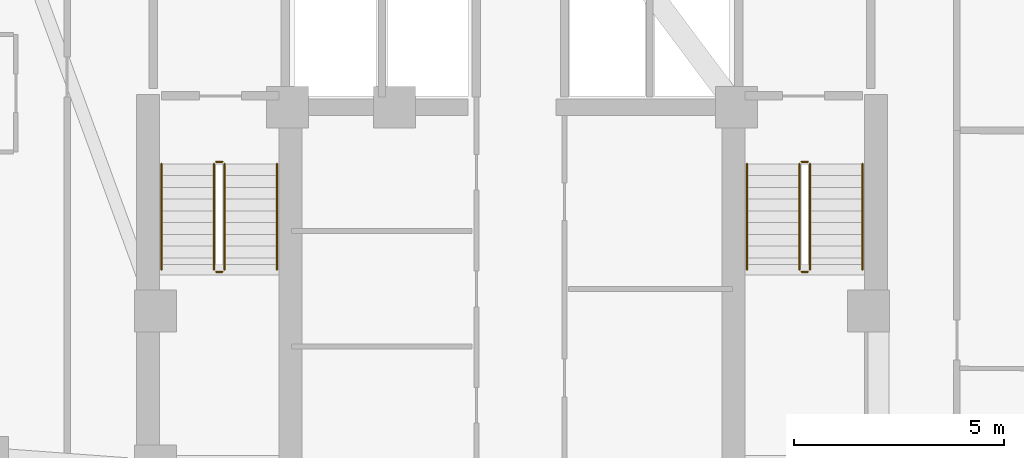
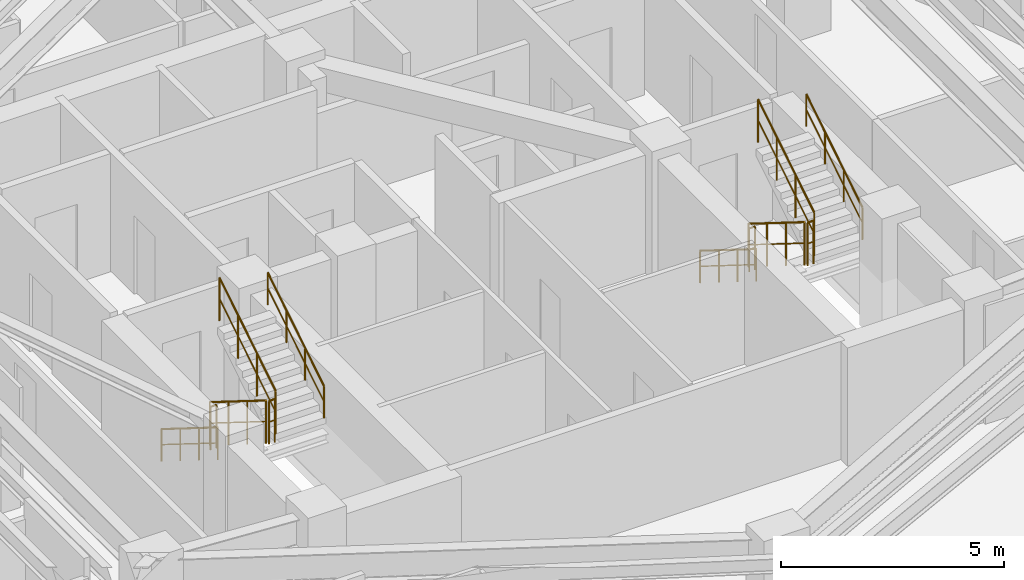
# One storey, part 11 of 11: 12 railings.
"""IFC4 building model written with IfcOpenShell, lengths in metres."""

from ifc_helpers import new_model, si_unit, direction, frame, origin, origin_2d, place, context, subcontext, project, spatial, circle, extrude, material, type_object, element, save


model = new_model("IFC4")

# Units and contexts
model_context = context("Model", 3, precision=1e-05, world=origin(), true_north=direction((0.0, 1.0)))
body_context = subcontext(model_context, "Body", "Model", "MODEL_VIEW")
ifc_project = project(units=[si_unit("LENGTHUNIT", "METRE"), si_unit("AREAUNIT", "SQUARE_METRE"), si_unit("VOLUMEUNIT", "CUBIC_METRE"), si_unit("PLANEANGLEUNIT", "RADIAN"), si_unit("MASSUNIT", "GRAM", prefix="KILO")], contexts=[model_context])

# Site, building, storey
site_placement = place(None, origin())
site = spatial("IfcSite", under=ifc_project, at=site_placement, CompositionType="ELEMENT")
building_placement = place(site_placement, origin())
building = spatial("IfcBuilding", under=site, at=building_placement, Name="Miruveldt Soraemaru", CompositionType="ELEMENT")
storey_placement = place(building_placement, frame((0.0, 0.0, 159.89990234375)))
storey = spatial("IfcBuildingStorey", under=building, at=storey_placement, Name="L44", CompositionType="ELEMENT", Elevation=159.89990234375)

# Railings
ifc_material = material(Name="Steel S355 (355 MPa)", Category="steel")
railing_type_1 = type_object("IfcRailingType", Name="RAIL-HR-900", PredefinedType="HANDRAIL", material=ifc_material)
railing_1_placement = place(storey_placement, frame((35.64990234375, 42.699951171875, 0.175048828125)))
element("IfcRailing", 1, at=railing_1_placement, inside=storey, type_object=railing_type_1, Name="L44 ST-1 stair handrail 1", PredefinedType="HANDRAIL", context=body_context, shape_type="SweptSolid", body=[
    extrude(circle(Radius=0.02392578125, at=origin_2d()), frame((0.0, 0.0, 0.8759765625), z_axis=(0.0, -0.848007534815, 0.529984170421), x_axis=(1.0, 0.0, 0.0)), (0.0, 0.0, 1.0), 2.9716796875),
    extrude(circle(Radius=0.01611328125, at=origin_2d()), frame((0.0, 0.0, 0.449951171875), z_axis=(0.0, -0.848007534815, 0.529984170421), x_axis=(1.0, 0.0, 0.0)), (0.0, 0.0, 1.0), 2.9716796875),
    extrude(circle(Radius=0.02099609375, at=origin_2d()), origin(), (0.0, 0.0, 1.0), 0.851806640625),
    extrude(circle(Radius=0.02099609375, at=origin_2d()), frame((0.0, -0.840087890625, 0.52490234375)), (0.0, 0.0, 1.0), 0.851806640625),
    extrude(circle(Radius=0.02099609375, at=origin_2d()), frame((0.0, -1.679931640625, 1.050048828125)), (0.0, 0.0, 1.0), 0.851806640625),
    extrude(circle(Radius=0.02099609375, at=origin_2d()), frame((0.0, -2.52001953125, 1.574951171875)), (0.0, 0.0, 1.0), 0.851806640625),
])
railing_2_placement = place(storey_placement, frame((38.39990234375, 40.179931640625, 1.925048828125)))
element("IfcRailing", 2, at=railing_2_placement, inside=storey, type_object=railing_type_1, Name="L44 ST-1 stair handrail 2", PredefinedType="HANDRAIL", context=body_context, shape_type="SweptSolid", body=[
    extrude(circle(Radius=0.02392578125, at=origin_2d()), frame((0.0, 0.0, 0.8759765625), z_axis=(0.0, 0.848007534815, 0.529984170421), x_axis=(-1.0, 0.0, 0.0)), (0.0, 0.0, 1.0), 2.9716796875),
    extrude(circle(Radius=0.01611328125, at=origin_2d()), frame((0.0, 0.0, 0.449951171875), z_axis=(0.0, 0.848007534815, 0.529984170421), x_axis=(-1.0, 0.0, 0.0)), (0.0, 0.0, 1.0), 2.9716796875),
    extrude(circle(Radius=0.02099609375, at=origin_2d()), origin(), (0.0, 0.0, 1.0), 0.851806640625),
    extrude(circle(Radius=0.02099609375, at=origin_2d()), frame((0.0, 0.840087890625, 0.52490234375)), (0.0, 0.0, 1.0), 0.851806640625),
    extrude(circle(Radius=0.02099609375, at=origin_2d()), frame((0.0, 1.679931640625, 1.050048828125)), (0.0, 0.0, 1.0), 0.851806640625),
    extrude(circle(Radius=0.02099609375, at=origin_2d()), frame((0.0, 2.52001953125, 1.574951171875)), (0.0, 0.0, 1.0), 0.851806640625),
])
railing_3_placement = place(storey_placement, frame((49.60009765625, 42.699951171875, 0.175048828125)))
element("IfcRailing", 3, at=railing_3_placement, inside=storey, type_object=railing_type_1, Name="L44 ST-2 stair handrail 1", PredefinedType="HANDRAIL", context=body_context, shape_type="SweptSolid", body=[
    extrude(circle(Radius=0.02392578125, at=origin_2d()), frame((0.0, 0.0, 0.8759765625), z_axis=(0.0, -0.848007534815, 0.529984170421), x_axis=(1.0, 0.0, 0.0)), (0.0, 0.0, 1.0), 2.9716796875),
    extrude(circle(Radius=0.01611328125, at=origin_2d()), frame((0.0, 0.0, 0.449951171875), z_axis=(0.0, -0.848007534815, 0.529984170421), x_axis=(1.0, 0.0, 0.0)), (0.0, 0.0, 1.0), 2.9716796875),
    extrude(circle(Radius=0.02099609375, at=origin_2d()), origin(), (0.0, 0.0, 1.0), 0.851806640625),
    extrude(circle(Radius=0.02099609375, at=origin_2d()), frame((0.0, -0.840087890625, 0.52490234375)), (0.0, 0.0, 1.0), 0.851806640625),
    extrude(circle(Radius=0.02099609375, at=origin_2d()), frame((0.0, -1.679931640625, 1.050048828125)), (0.0, 0.0, 1.0), 0.851806640625),
    extrude(circle(Radius=0.02099609375, at=origin_2d()), frame((0.0, -2.52001953125, 1.574951171875)), (0.0, 0.0, 1.0), 0.851806640625),
])
railing_4_placement = place(storey_placement, frame((52.35009765625, 40.179931640625, 1.925048828125)))
element("IfcRailing", 4, at=railing_4_placement, inside=storey, type_object=railing_type_1, Name="L44 ST-2 stair handrail 2", PredefinedType="HANDRAIL", context=body_context, shape_type="SweptSolid", body=[
    extrude(circle(Radius=0.02392578125, at=origin_2d()), frame((0.0, 0.0, 0.8759765625), z_axis=(0.0, 0.848007534815, 0.529984170421), x_axis=(-1.0, 0.0, 0.0)), (0.0, 0.0, 1.0), 2.9716796875),
    extrude(circle(Radius=0.01611328125, at=origin_2d()), frame((0.0, 0.0, 0.449951171875), z_axis=(0.0, 0.848007534815, 0.529984170421), x_axis=(-1.0, 0.0, 0.0)), (0.0, 0.0, 1.0), 2.9716796875),
    extrude(circle(Radius=0.02099609375, at=origin_2d()), origin(), (0.0, 0.0, 1.0), 0.851806640625),
    extrude(circle(Radius=0.02099609375, at=origin_2d()), frame((0.0, 0.840087890625, 0.52490234375)), (0.0, 0.0, 1.0), 0.851806640625),
    extrude(circle(Radius=0.02099609375, at=origin_2d()), frame((0.0, 1.679931640625, 1.050048828125)), (0.0, 0.0, 1.0), 0.851806640625),
    extrude(circle(Radius=0.02099609375, at=origin_2d()), frame((0.0, 2.52001953125, 1.574951171875)), (0.0, 0.0, 1.0), 0.851806640625),
])
railing_type_2 = type_object("IfcRailingType", Name="RAIL-STGUARD-1200", PredefinedType="GUARDRAIL", material=ifc_material)
railing_5_placement = place(storey_placement, frame((36.89990234375, 42.699951171875, 0.175048828125)))
element("IfcRailing", 5, at=railing_5_placement, inside=storey, type_object=railing_type_2, Name="L44 ST-1 stair guard 1", PredefinedType="GUARDRAIL", context=body_context, shape_type="SweptSolid", body=[
    extrude(circle(Radius=0.02392578125, at=origin_2d()), frame((0.0, 0.0, 1.17578125), z_axis=(0.0, -0.848007534815, 0.529984170421), x_axis=(1.0, 0.0, 0.0)), (0.0, 0.0, 1.0), 2.9716796875),
    extrude(circle(Radius=0.01611328125, at=origin_2d()), frame((0.0, 0.0, 0.60009765625), z_axis=(0.0, -0.848007534815, 0.529984170421), x_axis=(1.0, 0.0, 0.0)), (0.0, 0.0, 1.0), 2.9716796875),
    extrude(circle(Radius=0.02099609375, at=origin_2d()), origin(), (0.0, 0.0, 1.0), 1.15185546875),
    extrude(circle(Radius=0.02099609375, at=origin_2d()), frame((0.0, -0.840087890625, 0.52490234375)), (0.0, 0.0, 1.0), 1.15185546875),
    extrude(circle(Radius=0.02099609375, at=origin_2d()), frame((0.0, -1.679931640625, 1.050048828125)), (0.0, 0.0, 1.0), 1.15185546875),
    extrude(circle(Radius=0.02099609375, at=origin_2d()), frame((0.0, -2.52001953125, 1.574951171875)), (0.0, 0.0, 1.0), 1.15185546875),
])
railing_6_placement = place(storey_placement, frame((36.949951171875, 40.1298828125, 1.75)))
element("IfcRailing", 6, at=railing_6_placement, inside=storey, type_object=railing_type_2, Name="L44 ST-1 stair guard 2", PredefinedType="GUARDRAIL", context=body_context, shape_type="SweptSolid", body=[
    extrude(circle(Radius=0.02392578125, at=origin_2d()), frame((0.0, 0.0, 1.17578125), z_axis=(1.0, 0.0, 0.0), x_axis=(0.0, 1.0, 0.0)), (0.0, 0.0, 1.0), 0.150146484375),
    extrude(circle(Radius=0.01611328125, at=origin_2d()), frame((0.0, 0.0, 0.60009765625), z_axis=(1.0, 0.0, 0.0), x_axis=(0.0, 1.0, 0.0)), (0.0, 0.0, 1.0), 0.150146484375),
    extrude(circle(Radius=0.02099609375, at=origin_2d()), origin(), (0.0, 0.0, 1.0), 1.15185546875),
    extrude(circle(Radius=0.02099609375, at=origin_2d()), frame((0.150146484375, 0.0, 0.0)), (0.0, 0.0, 1.0), 1.15185546875),
])
railing_7_placement = place(storey_placement, frame((37.14990234375, 40.179931640625, 1.925048828125)))
element("IfcRailing", 7, at=railing_7_placement, inside=storey, type_object=railing_type_2, Name="L44 ST-1 stair guard 3", PredefinedType="GUARDRAIL", context=body_context, shape_type="SweptSolid", body=[
    extrude(circle(Radius=0.02392578125, at=origin_2d()), frame((0.0, 0.0, 1.17578125), z_axis=(0.0, 0.848007534815, 0.529984170421), x_axis=(-1.0, 0.0, 0.0)), (0.0, 0.0, 1.0), 2.9716796875),
    extrude(circle(Radius=0.01611328125, at=origin_2d()), frame((0.0, 0.0, 0.60009765625), z_axis=(0.0, 0.848007534815, 0.529984170421), x_axis=(-1.0, 0.0, 0.0)), (0.0, 0.0, 1.0), 2.9716796875),
    extrude(circle(Radius=0.02099609375, at=origin_2d()), origin(), (0.0, 0.0, 1.0), 1.15185546875),
    extrude(circle(Radius=0.02099609375, at=origin_2d()), frame((0.0, 0.840087890625, 0.52490234375)), (0.0, 0.0, 1.0), 1.15185546875),
    extrude(circle(Radius=0.02099609375, at=origin_2d()), frame((0.0, 1.679931640625, 1.050048828125)), (0.0, 0.0, 1.0), 1.15185546875),
    extrude(circle(Radius=0.02099609375, at=origin_2d()), frame((0.0, 2.52001953125, 1.574951171875)), (0.0, 0.0, 1.0), 1.15185546875),
])
railing_8_placement = place(storey_placement, frame((36.949951171875, 42.75, 0.0)))
element("IfcRailing", 8, at=railing_8_placement, inside=storey, type_object=railing_type_2, Name="L44 ST-1 stair guard 4", PredefinedType="GUARDRAIL", context=body_context, shape_type="SweptSolid", body=[
    extrude(circle(Radius=0.02392578125, at=origin_2d()), frame((0.0, 0.0, 1.17578125), z_axis=(1.0, 0.0, 0.0), x_axis=(0.0, 1.0, 0.0)), (0.0, 0.0, 1.0), 0.150146484375),
    extrude(circle(Radius=0.01611328125, at=origin_2d()), frame((0.0, 0.0, 0.60009765625), z_axis=(1.0, 0.0, 0.0), x_axis=(0.0, 1.0, 0.0)), (0.0, 0.0, 1.0), 0.150146484375),
    extrude(circle(Radius=0.02099609375, at=origin_2d()), origin(), (0.0, 0.0, 1.0), 1.15185546875),
    extrude(circle(Radius=0.02099609375, at=origin_2d()), frame((0.150146484375, 0.0, 0.0)), (0.0, 0.0, 1.0), 1.15185546875),
])
railing_9_placement = place(storey_placement, frame((50.85009765625, 42.699951171875, 0.175048828125)))
element("IfcRailing", 9, at=railing_9_placement, inside=storey, type_object=railing_type_2, Name="L44 ST-2 stair guard 1", PredefinedType="GUARDRAIL", context=body_context, shape_type="SweptSolid", body=[
    extrude(circle(Radius=0.02392578125, at=origin_2d()), frame((0.0, 0.0, 1.17578125), z_axis=(0.0, -0.848007534815, 0.529984170421), x_axis=(1.0, 0.0, 0.0)), (0.0, 0.0, 1.0), 2.9716796875),
    extrude(circle(Radius=0.01611328125, at=origin_2d()), frame((0.0, 0.0, 0.60009765625), z_axis=(0.0, -0.848007534815, 0.529984170421), x_axis=(1.0, 0.0, 0.0)), (0.0, 0.0, 1.0), 2.9716796875),
    extrude(circle(Radius=0.02099609375, at=origin_2d()), origin(), (0.0, 0.0, 1.0), 1.15185546875),
    extrude(circle(Radius=0.02099609375, at=origin_2d()), frame((0.0, -0.840087890625, 0.52490234375)), (0.0, 0.0, 1.0), 1.15185546875),
    extrude(circle(Radius=0.02099609375, at=origin_2d()), frame((0.0, -1.679931640625, 1.050048828125)), (0.0, 0.0, 1.0), 1.15185546875),
    extrude(circle(Radius=0.02099609375, at=origin_2d()), frame((0.0, -2.52001953125, 1.574951171875)), (0.0, 0.0, 1.0), 1.15185546875),
])
railing_10_placement = place(storey_placement, frame((50.89990234375, 40.1298828125, 1.75)))
element("IfcRailing", 10, at=railing_10_placement, inside=storey, type_object=railing_type_2, Name="L44 ST-2 stair guard 2", PredefinedType="GUARDRAIL", context=body_context, shape_type="SweptSolid", body=[
    extrude(circle(Radius=0.02392578125, at=origin_2d()), frame((0.0, 0.0, 1.17578125), z_axis=(1.0, 0.0, 0.0), x_axis=(0.0, 1.0, 0.0)), (0.0, 0.0, 1.0), 0.150146484375),
    extrude(circle(Radius=0.01611328125, at=origin_2d()), frame((0.0, 0.0, 0.60009765625), z_axis=(1.0, 0.0, 0.0), x_axis=(0.0, 1.0, 0.0)), (0.0, 0.0, 1.0), 0.150146484375),
    extrude(circle(Radius=0.02099609375, at=origin_2d()), origin(), (0.0, 0.0, 1.0), 1.15185546875),
    extrude(circle(Radius=0.02099609375, at=origin_2d()), frame((0.150146484375, 0.0, 0.0)), (0.0, 0.0, 1.0), 1.15185546875),
])
railing_11_placement = place(storey_placement, frame((51.10009765625, 40.179931640625, 1.925048828125)))
element("IfcRailing", 11, at=railing_11_placement, inside=storey, type_object=railing_type_2, Name="L44 ST-2 stair guard 3", PredefinedType="GUARDRAIL", context=body_context, shape_type="SweptSolid", body=[
    extrude(circle(Radius=0.02392578125, at=origin_2d()), frame((0.0, 0.0, 1.17578125), z_axis=(0.0, 0.848007534815, 0.529984170421), x_axis=(-1.0, 0.0, 0.0)), (0.0, 0.0, 1.0), 2.9716796875),
    extrude(circle(Radius=0.01611328125, at=origin_2d()), frame((0.0, 0.0, 0.60009765625), z_axis=(0.0, 0.848007534815, 0.529984170421), x_axis=(-1.0, 0.0, 0.0)), (0.0, 0.0, 1.0), 2.9716796875),
    extrude(circle(Radius=0.02099609375, at=origin_2d()), origin(), (0.0, 0.0, 1.0), 1.15185546875),
    extrude(circle(Radius=0.02099609375, at=origin_2d()), frame((0.0, 0.840087890625, 0.52490234375)), (0.0, 0.0, 1.0), 1.15185546875),
    extrude(circle(Radius=0.02099609375, at=origin_2d()), frame((0.0, 1.679931640625, 1.050048828125)), (0.0, 0.0, 1.0), 1.15185546875),
    extrude(circle(Radius=0.02099609375, at=origin_2d()), frame((0.0, 2.52001953125, 1.574951171875)), (0.0, 0.0, 1.0), 1.15185546875),
])
railing_12_placement = place(storey_placement, frame((50.89990234375, 42.75, 0.0)))
element("IfcRailing", 12, at=railing_12_placement, inside=storey, type_object=railing_type_2, Name="L44 ST-2 stair guard 4", PredefinedType="GUARDRAIL", context=body_context, shape_type="SweptSolid", body=[
    extrude(circle(Radius=0.02392578125, at=origin_2d()), frame((0.0, 0.0, 1.17578125), z_axis=(1.0, 0.0, 0.0), x_axis=(0.0, 1.0, 0.0)), (0.0, 0.0, 1.0), 0.150146484375),
    extrude(circle(Radius=0.01611328125, at=origin_2d()), frame((0.0, 0.0, 0.60009765625), z_axis=(1.0, 0.0, 0.0), x_axis=(0.0, 1.0, 0.0)), (0.0, 0.0, 1.0), 0.150146484375),
    extrude(circle(Radius=0.02099609375, at=origin_2d()), origin(), (0.0, 0.0, 1.0), 1.15185546875),
    extrude(circle(Radius=0.02099609375, at=origin_2d()), frame((0.150146484375, 0.0, 0.0)), (0.0, 0.0, 1.0), 1.15185546875),
])

save(model, "model.ifc")
